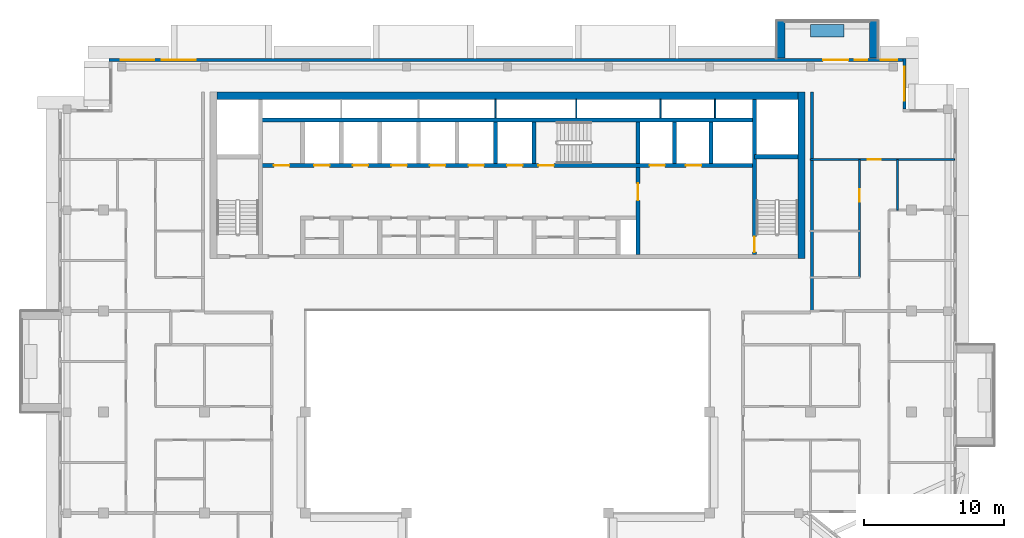
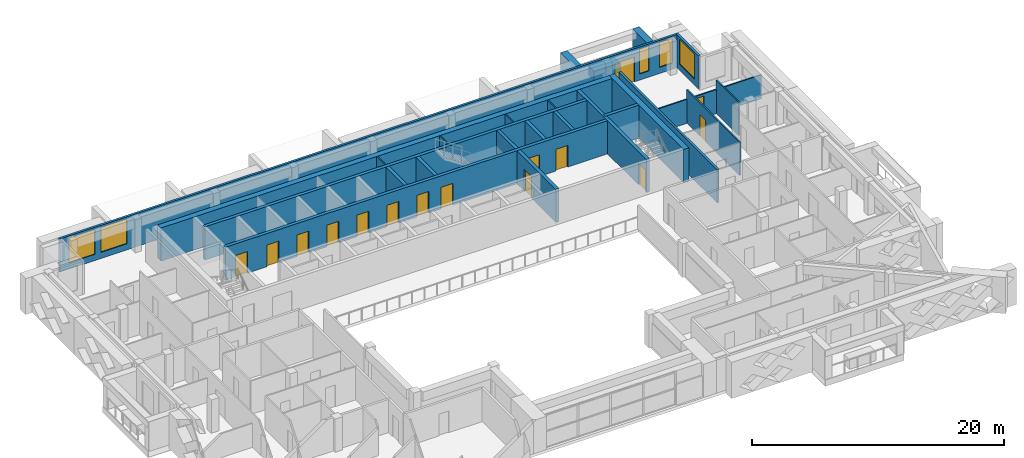
# One storey, part 11 of 19: 25 walls, 15 doors, 5 windows, 20 openings.
"""IFC4 building model written with IfcOpenShell, lengths in metres."""

from ifc_helpers import new_model, si_unit, direction, frame, frame_2d, origin, place, context, subcontext, project, spatial, rectangle, extrude, material, layer, layer_set, type_object, element, fill, save


model = new_model("IFC4")

# Units and contexts
model_context = context("Model", 3, precision=1e-05, world=origin(), true_north=direction((0.0, 1.0)))
body_context = subcontext(model_context, "Body", "Model", "MODEL_VIEW")
ifc_project = project(units=[si_unit("LENGTHUNIT", "METRE"), si_unit("AREAUNIT", "SQUARE_METRE"), si_unit("VOLUMEUNIT", "CUBIC_METRE"), si_unit("PLANEANGLEUNIT", "RADIAN"), si_unit("MASSUNIT", "GRAM", prefix="KILO")], contexts=[model_context])

# Site, building, storey
site_placement = place(None, origin())
site = spatial("IfcSite", under=ifc_project, at=site_placement, CompositionType="ELEMENT")
building_placement = place(site_placement, origin())
building = spatial("IfcBuilding", under=site, at=building_placement, Name="Saffron Iwan Residences", CompositionType="ELEMENT")
storey_placement = place(building_placement, frame((0.0, 0.0, 264.0)))
storey = spatial("IfcBuildingStorey", under=building, at=storey_placement, Name="L71", CompositionType="ELEMENT", Elevation=264.0)

# Walls
ifc_material_1 = material(Name="Concrete C50/60 white painted", Category="concrete")
ifc_layer_1 = layer(ifc_material_1, 0.60009765625)
ifc_layer_set_1 = layer_set([ifc_layer_1], Name="Concrete C50/60 white painted")
wall_type_1 = type_object("IfcWallType", Name="BALCONY FIN 600", PredefinedType="SOLIDWALL", material=ifc_layer_set_1)
for number, where, z_axis, x_axis, name in (
    (1, (76.5, 80.449951171875, 0.0), (0.0, 0.0, 1.0), (0.0, 1.0, 0.0), "Balcony fin L71 F5-0a"),
    (2, (69.89990234375, 80.449951171875, 0.0), (0.0, 0.0, 1.0), (0.0, 1.0, 0.0), "Balcony fin L71 F5-0b"),
):
    element("IfcWall", number, at=place(storey_placement, frame(where, z_axis=z_axis, x_axis=x_axis)), inside=storey, type_object=wall_type_1, Name=name, PredefinedType="SOLIDWALL", context=body_context, shape_type="SweptSolid", body=[
        extrude(rectangle(XDim=2.650146484375, YDim=0.60009765625, at=frame_2d((1.3251953125, 0.0))), origin(), (0.0, 0.0, 1.0), 2.85009765625),
    ])
ifc_material_2 = material(Name="Concrete C35/45 white painted", Category="concrete")
ifc_layer_2 = layer(ifc_material_2, 0.14990234375)
ifc_layer_set_2 = layer_set([ifc_layer_2], Name="Concrete C35/45 white painted")
wall_type_2 = type_object("IfcWallType", Name="BALCONY PLANTER", PredefinedType="SOLIDWALL", material=ifc_layer_set_2)
wall_1_placement = place(storey_placement, frame((74.39990234375, 82.375, 0.0), z_axis=(0.0, 0.0, 1.0), x_axis=(-1.0, 0.0, 0.0)))
element("IfcWall", 3, at=wall_1_placement, inside=storey, type_object=wall_type_2, Name="PLANTER L71 F5-0", PredefinedType="SOLIDWALL", context=body_context, shape_type="SweptSolid", body=[
    extrude(rectangle(XDim=2.39990234375, YDim=0.89990234375, at=frame_2d((1.199951171875, 0.0))), origin(), (0.0, 0.0, 1.0), 0.89990234375),
])

# Wall, opening, window
ifc_material_3 = material(Name="Concrete C40/50", Category="concrete")
ifc_layer_3 = layer(ifc_material_3, 0.199951171875)
ifc_layer_set_3 = layer_set([ifc_layer_3], Name="Concrete C40/50")
wall_type_3 = type_object("IfcWallType", Name="EXTERNAL WALL 200", PredefinedType="SOLIDWALL", material=ifc_layer_set_3)
wall_2_placement = place(storey_placement, frame((78.699951171875, 76.800048828125, 0.0), z_axis=(0.0, 0.0, 1.0), x_axis=(0.0, 1.0, 0.0)))
wall_2 = element("IfcWall", 4, at=wall_2_placement, inside=storey, type_object=wall_type_3, Name="External wall L71 F4.0", PredefinedType="SOLIDWALL", context=body_context, shape_type="SweptSolid", body=[
    extrude(rectangle(XDim=3.599853515625, YDim=0.199951171875, at=frame_2d((1.7998046875, 0.0))), origin(), (0.0, 0.0, 1.0), 3.219970703125),
])
opening_1_placement = place(wall_2_placement, frame((0.60009765625, 0.0, 0.60009765625)))
opening_1 = element("IfcOpeningElement", 5, at=opening_1_placement, cuts=wall_2, Name="Opening W1", PredefinedType="OPENING", context=body_context, shape_type="SweptSolid", body=[
    extrude(rectangle(XDim=2.39990234375, YDim=2.39990234375, at=frame_2d((1.199951171875, 1.199951171875))), frame((0.0, 0.10986328125, 0.0), z_axis=(0.0, -1.0, 0.0), x_axis=(1.0, 0.0, 0.0)), (0.0, 0.0, 1.0), 0.219970703125),
])
ifc_material_4 = material(Name="Clear glass, laminated double glazed", Category="glass")
window_type_1 = type_object("IfcWindowType", Name="WINDOW 2400 x 2400", PartitioningType="DOUBLE_PANEL_VERTICAL", PredefinedType="WINDOW", material=ifc_material_4)
window_1_placement = place(opening_1_placement, origin())
window_1 = element("IfcWindow", 6, at=window_1_placement, inside=storey, type_object=window_type_1, Name="Window L71 F4.0", OverallHeight=2.39990234375, OverallWidth=2.39990234375, PartitioningType="DOUBLE_PANEL_VERTICAL", PredefinedType="WINDOW", context=body_context, shape_type="SweptSolid", body=[
    extrude(rectangle(XDim=2.39990234375, YDim=2.39990234375, at=frame_2d((1.199951171875, 1.199951171875))), frame((0.0, 0.030029296875, 0.0), z_axis=(0.0, -1.0, 0.0), x_axis=(1.0, 0.0, 0.0)), (0.0, 0.0, 1.0), 0.06005859375),
])
fill(opening_1, window_1)

# Wall, openings, door, windows
wall_3_placement = place(storey_placement, frame((78.60009765625, 80.300048828125, 0.0), z_axis=(0.0, 0.0, 1.0), x_axis=(-1.0, 0.0, 0.0)))
wall_3 = element("IfcWall", 7, at=wall_3_placement, inside=storey, type_object=wall_type_3, Name="External wall L71 F5.0", PredefinedType="SOLIDWALL", context=body_context, shape_type="SweptSolid", body=[
    extrude(rectangle(XDim=56.60009765625, YDim=0.199951171875, at=frame_2d((28.300048828125, 0.0))), origin(), (0.0, 0.0, 1.0), 3.219970703125),
])
opening_2_placement = place(wall_3_placement, frame((3.89990234375, 0.0, 0.0)))
opening_2 = element("IfcOpeningElement", 8, at=opening_2_placement, cuts=wall_3, Name="Opening BD1", PredefinedType="OPENING", context=body_context, shape_type="SweptSolid", body=[
    extrude(rectangle(XDim=1.800048828125, YDim=2.39990234375, at=frame_2d((0.89990234375, 1.199951171875))), frame((0.0, 0.10986328125, 0.0), z_axis=(0.0, -1.0, 0.0), x_axis=(1.0, 0.0, 0.0)), (0.0, 0.0, 1.0), 0.219970703125),
])
opening_3_placement = place(wall_3_placement, frame((50.433349609375, 0.0, 0.60009765625)))
opening_3 = element("IfcOpeningElement", 9, at=opening_3_placement, cuts=wall_3, Name="Opening W1", PredefinedType="OPENING", context=body_context, shape_type="SweptSolid", body=[
    extrude(rectangle(XDim=2.39990234375, YDim=2.39990234375, at=frame_2d((1.199951171875, 1.199951171875))), frame((0.0, 0.10986328125, 0.0), z_axis=(0.0, -1.0, 0.0), x_axis=(1.0, 0.0, 0.0)), (0.0, 0.0, 1.0), 0.219970703125),
])
opening_4_placement = place(wall_3_placement, frame((53.36669921875, 0.0, 0.60009765625)))
opening_4 = element("IfcOpeningElement", 10, at=opening_4_placement, cuts=wall_3, Name="Opening W1", PredefinedType="OPENING", context=body_context, shape_type="SweptSolid", body=[
    extrude(rectangle(XDim=2.39990234375, YDim=2.39990234375, at=frame_2d((1.199951171875, 1.199951171875))), frame((0.0, 0.10986328125, 0.0), z_axis=(0.0, -1.0, 0.0), x_axis=(1.0, 0.0, 0.0)), (0.0, 0.0, 1.0), 0.219970703125),
])
opening_5_placement = place(wall_3_placement, frame((0.39990234375, 0.0, 0.60009765625)))
opening_5 = element("IfcOpeningElement", 11, at=opening_5_placement, cuts=wall_3, Name="Opening W3", PredefinedType="OPENING", context=body_context, shape_type="SweptSolid", body=[
    extrude(rectangle(XDim=1.199951171875, YDim=2.39990234375, at=frame_2d((0.60009765625, 1.199951171875))), frame((0.0, 0.10986328125, 0.0), z_axis=(0.0, -1.0, 0.0), x_axis=(1.0, 0.0, 0.0)), (0.0, 0.0, 1.0), 0.219970703125),
])
opening_6_placement = place(wall_3_placement, frame((2.550048828125, 0.0, 0.60009765625)))
opening_6 = element("IfcOpeningElement", 12, at=opening_6_placement, cuts=wall_3, Name="Opening W10", PredefinedType="OPENING", context=body_context, shape_type="SweptSolid", body=[
    extrude(rectangle(XDim=0.89990234375, YDim=2.39990234375, at=frame_2d((0.449951171875, 1.199951171875))), frame((0.0, 0.10986328125, 0.0), z_axis=(0.0, -1.0, 0.0), x_axis=(1.0, 0.0, 0.0)), (0.0, 0.0, 1.0), 0.219970703125),
])
door_type_1 = type_object("IfcDoorType", Name="BALCONY DOOR 1800 x 2400", OperationType="DOUBLE_DOOR_SLIDING", PredefinedType="DOOR", material=ifc_material_4)
door_1_placement = place(opening_2_placement, origin())
door_1 = element("IfcDoor", 13, at=door_1_placement, inside=storey, type_object=door_type_1, Name="Balcony door L71 F5.0", OperationType="DOUBLE_DOOR_SLIDING", OverallHeight=2.39990234375, OverallWidth=1.800048828125, PredefinedType="DOOR", context=body_context, shape_type="SweptSolid", body=[
    extrude(rectangle(XDim=1.800048828125, YDim=2.39990234375, at=frame_2d((0.89990234375, 1.199951171875))), frame((0.0, 0.02490234375, 0.0), z_axis=(0.0, -1.0, 0.0), x_axis=(1.0, 0.0, 0.0)), (0.0, 0.0, 1.0), 0.050048828125),
])
fill(opening_2, door_1)
window_type_2 = type_object("IfcWindowType", Name="WINDOW 1200 x 2400", PartitioningType="SINGLE_PANEL", PredefinedType="WINDOW", material=ifc_material_4)
window_2_placement = place(opening_5_placement, origin())
window_2 = element("IfcWindow", 14, at=window_2_placement, inside=storey, type_object=window_type_2, Name="Window L71 F5.3", OverallHeight=2.39990234375, OverallWidth=1.199951171875, PartitioningType="SINGLE_PANEL", PredefinedType="WINDOW", context=body_context, shape_type="SweptSolid", body=[
    extrude(rectangle(XDim=1.199951171875, YDim=2.39990234375, at=frame_2d((0.60009765625, 1.199951171875))), frame((0.0, 0.030029296875, 0.0), z_axis=(0.0, -1.0, 0.0), x_axis=(1.0, 0.0, 0.0)), (0.0, 0.0, 1.0), 0.06005859375),
])
fill(opening_5, window_2)
window_3_placement = place(opening_3_placement, origin())
window_3 = element("IfcWindow", 15, at=window_3_placement, inside=storey, type_object=window_type_1, Name="Window L71 F5.1", OverallHeight=2.39990234375, OverallWidth=2.39990234375, PartitioningType="DOUBLE_PANEL_VERTICAL", PredefinedType="WINDOW", context=body_context, shape_type="SweptSolid", body=[
    extrude(rectangle(XDim=2.39990234375, YDim=2.39990234375, at=frame_2d((1.199951171875, 1.199951171875))), frame((0.0, 0.030029296875, 0.0), z_axis=(0.0, -1.0, 0.0), x_axis=(1.0, 0.0, 0.0)), (0.0, 0.0, 1.0), 0.06005859375),
])
fill(opening_3, window_3)
window_4_placement = place(opening_4_placement, origin())
window_4 = element("IfcWindow", 16, at=window_4_placement, inside=storey, type_object=window_type_1, Name="Window L71 F5.2", OverallHeight=2.39990234375, OverallWidth=2.39990234375, PartitioningType="DOUBLE_PANEL_VERTICAL", PredefinedType="WINDOW", context=body_context, shape_type="SweptSolid", body=[
    extrude(rectangle(XDim=2.39990234375, YDim=2.39990234375, at=frame_2d((1.199951171875, 1.199951171875))), frame((0.0, 0.030029296875, 0.0), z_axis=(0.0, -1.0, 0.0), x_axis=(1.0, 0.0, 0.0)), (0.0, 0.0, 1.0), 0.06005859375),
])
fill(opening_4, window_4)
window_type_3 = type_object("IfcWindowType", Name="WINDOW 900 x 2400", PartitioningType="SINGLE_PANEL", PredefinedType="WINDOW", material=ifc_material_4)
window_5_placement = place(opening_6_placement, origin())
window_5 = element("IfcWindow", 17, at=window_5_placement, inside=storey, type_object=window_type_3, Name="Window L71 F5.4", OverallHeight=2.39990234375, OverallWidth=0.89990234375, PartitioningType="SINGLE_PANEL", PredefinedType="WINDOW", context=body_context, shape_type="SweptSolid", body=[
    extrude(rectangle(XDim=0.89990234375, YDim=2.39990234375, at=frame_2d((0.449951171875, 1.199951171875))), frame((0.0, 0.030029296875, 0.0), z_axis=(0.0, -1.0, 0.0), x_axis=(1.0, 0.0, 0.0)), (0.0, 0.0, 1.0), 0.06005859375),
])
fill(opening_6, window_5)

# Wall, opening, door
ifc_material_5 = material(Name="Gypsum board partition")
ifc_layer_4 = layer(ifc_material_5, 0.1201171875)
ifc_layer_set_4 = layer_set([ifc_layer_4], Name="Gypsum board partition")
wall_type_4 = type_object("IfcWallType", Name="Flat partition 120", PredefinedType="PARTITIONING", material=ifc_layer_set_4)
wall_4_placement = place(storey_placement, frame((72.0, 73.199951171875, 0.0), z_axis=(0.0, 0.0, 1.0), x_axis=(1.0, 0.0, 0.0)))
wall_4 = element("IfcWall", 18, at=wall_4_placement, inside=storey, type_object=wall_type_4, Name="W-L71-PART-h73.2-72", PredefinedType="PARTITIONING", context=body_context, shape_type="SweptSolid", body=[
    extrude(rectangle(XDim=10.27490234375, YDim=0.1201171875, at=frame_2d((5.137451171875, 0.0))), origin(), (0.0, 0.0, 1.0), 2.320068359375),
])
opening_7_placement = place(wall_4_placement, frame((4.10009765625, 0.0, 0.0)))
opening_7 = element("IfcOpeningElement", 19, at=opening_7_placement, cuts=wall_4, Name="Opening FD2", PredefinedType="OPENING", context=body_context, shape_type="SweptSolid", body=[
    extrude(rectangle(XDim=0.89990234375, YDim=2.10009765625, at=frame_2d((0.449951171875, 1.050048828125))), frame((0.0, 0.070068359375, 0.0), z_axis=(0.0, -1.0, 0.0), x_axis=(1.0, 0.0, 0.0)), (0.0, 0.0, 1.0), 0.14013671875),
])
ifc_material_6 = material(Name="Timber door", Category="wood")
door_type_2 = type_object("IfcDoorType", Name="Flat door 900", OperationType="NOTDEFINED", PredefinedType="DOOR", material=ifc_material_6)
door_2_placement = place(opening_7_placement, origin())
door_2 = element("IfcDoor", 20, at=door_2_placement, inside=storey, type_object=door_type_2, Name="Door L71-038", OperationType="SINGLE_SWING_RIGHT", OverallHeight=2.10009765625, OverallWidth=0.89990234375, PredefinedType="DOOR", context=body_context, shape_type="SweptSolid", body=[
    extrude(rectangle(XDim=0.89990234375, YDim=2.10009765625, at=frame_2d((0.449951171875, 1.050048828125))), frame((0.0, 0.02490234375, 0.0), z_axis=(0.0, -1.0, 0.0), x_axis=(1.0, 0.0, 0.0)), (0.0, 0.0, 1.0), 0.050048828125),
])
fill(opening_7, door_2)

wall_5_placement = place(storey_placement, frame((75.5, 64.800048828125, 0.0), z_axis=(0.0, 0.0, 1.0), x_axis=(0.0, 1.0, 0.0)))
wall_5 = element("IfcWall", 21, at=wall_5_placement, inside=storey, type_object=wall_type_4, Name="W-L71-PART-v75.5-64.8", PredefinedType="PARTITIONING", context=body_context, shape_type="SweptSolid", body=[
    extrude(rectangle(XDim=8.39990234375, YDim=0.1201171875, at=frame_2d((4.199951171875, 0.0))), origin(), (0.0, 0.0, 1.0), 3.219970703125),
])
opening_8_placement = place(wall_5_placement, frame((5.39990234375, 0.0, 0.0)))
opening_8 = element("IfcOpeningElement", 22, at=opening_8_placement, cuts=wall_5, Name="Opening FD2", PredefinedType="OPENING", context=body_context, shape_type="SweptSolid", body=[
    extrude(rectangle(XDim=0.89990234375, YDim=2.10009765625, at=frame_2d((0.449951171875, 1.050048828125))), frame((0.0, 0.070068359375, 0.0), z_axis=(0.0, -1.0, 0.0), x_axis=(1.0, 0.0, 0.0)), (0.0, 0.0, 1.0), 0.14013671875),
])
door_3_placement = place(opening_8_placement, origin())
door_3 = element("IfcDoor", 23, at=door_3_placement, inside=storey, type_object=door_type_2, Name="Door L71-040", OperationType="SINGLE_SWING_LEFT", OverallHeight=2.10009765625, OverallWidth=0.89990234375, PredefinedType="DOOR", context=body_context, shape_type="SweptSolid", body=[
    extrude(rectangle(XDim=0.89990234375, YDim=2.10009765625, at=frame_2d((0.449951171875, 1.050048828125))), frame((0.0, 0.02490234375, 0.0), z_axis=(0.0, -1.0, 0.0), x_axis=(1.0, 0.0, 0.0)), (0.0, 0.0, 1.0), 0.050048828125),
])
fill(opening_8, door_3)

# Walls
wall_6_placement = place(storey_placement, frame((78.199951171875, 69.60009765625, 0.0), z_axis=(0.0, 0.0, 1.0), x_axis=(0.0, 1.0, 0.0)))
element("IfcWall", 24, at=wall_6_placement, inside=storey, type_object=wall_type_4, Name="W-L71-PART-v78.2-69.6", PredefinedType="PARTITIONING", context=body_context, shape_type="SweptSolid", body=[
    extrude(rectangle(XDim=3.599853515625, YDim=0.1201171875, at=frame_2d((1.7998046875, 0.0))), origin(), (0.0, 0.0, 1.0), 3.219970703125),
])
ifc_material_7 = material(Name="Fire-rated gypsum board wall")
ifc_layer_5 = layer(ifc_material_7, 0.199951171875)
ifc_layer_set_5 = layer_set([ifc_layer_5], Name="Fire-rated gypsum board wall")
wall_type_5 = type_object("IfcWallType", Name="Gallery wall 200", PredefinedType="SOLIDWALL", material=ifc_layer_set_5)
wall_7_placement = place(storey_placement, frame((72.10009765625, 62.39990234375, 0.0), z_axis=(0.0, 0.0, 1.0), x_axis=(0.0, 1.0, 0.0)))
element("IfcWall", 25, at=wall_7_placement, inside=storey, type_object=wall_type_5, Name="W-L71-CORR-v72-62.4", PredefinedType="SOLIDWALL", context=body_context, shape_type="SweptSolid", body=[
    extrude(rectangle(XDim=15.60009765625, YDim=0.199951171875, at=frame_2d((7.800048828125, 0.0))), origin(), (0.0, 0.0, 1.0), 3.219970703125),
])
ifc_material_8 = material(Name="Fire-rated plasterboard partition")
ifc_layer_6 = layer(ifc_material_8, 0.10009765625)
ifc_layer_set_6 = layer_set([ifc_layer_6], Name="Fire-rated plasterboard partition")
wall_type_6 = type_object("IfcWallType", Name="Riser partition 100", PredefinedType="PARTITIONING", material=ifc_layer_set_6)
for number, where, z_axis, x_axis, name in (
    (26, (49.550048828125, 76.175048828125, 0.0), (0.0, 0.0, 1.0), (0.0, 1.0, 0.0), "Core partition P09"),
    (27, (55.300048828125, 76.175048828125, 0.0), (0.0, 0.0, 1.0), (0.0, 1.0, 0.0), "Core partition P10"),
    (28, (61.300048828125, 76.175048828125, 0.0), (0.0, 0.0, 1.0), (0.0, 1.0, 0.0), "Core partition P11"),
    (29, (65.199951171875, 76.175048828125, 0.0), (0.0, 0.0, 1.0), (0.0, 1.0, 0.0), "Core partition P12"),
):
    element("IfcWall", number, at=place(storey_placement, frame(where, z_axis=z_axis, x_axis=x_axis)), inside=storey, type_object=wall_type_6, Name=name, PredefinedType="PARTITIONING", context=body_context, shape_type="SweptSolid", body=[
        extrude(rectangle(XDim=1.324951171875, YDim=0.10009765625, at=frame_2d((0.66259765625, 0.0))), origin(), (0.0, 0.0, 1.0), 3.219970703125),
    ])

# Wall, openings, doors
ifc_layer_7 = layer(ifc_material_3, 0.300048828125)
ifc_layer_set_7 = layer_set([ifc_layer_7], Name="Concrete C40/50")
wall_type_7 = type_object("IfcWallType", Name="WALL CORE 300 C40/50 3220 HIGH", PredefinedType="SHEAR", material=ifc_layer_set_7)
wall_8_placement = place(storey_placement, frame((32.800048828125, 72.77490234375, 0.0), z_axis=(0.0, 0.0, 1.0), x_axis=(1.0, 0.0, 0.0)))
wall_8 = element("IfcWall", 30, at=wall_8_placement, inside=storey, type_object=wall_type_7, Name="Core wall", PredefinedType="SHEAR", context=body_context, shape_type="SweptSolid", body=[
    extrude(rectangle(XDim=35.199951171875, YDim=0.300048828125, at=frame_2d((17.60009765625, 0.0))), origin(), (0.0, 0.0, 1.0), 3.219970703125),
])
opening_9_placement = place(wall_8_placement, frame((19.800048828125, 0.0, 0.0)))
opening_9 = element("IfcOpeningElement", 31, at=opening_9_placement, cuts=wall_8, Name="Opening SD", PredefinedType="OPENING", context=body_context, shape_type="SweptSolid", body=[
    extrude(rectangle(XDim=1.10009765625, YDim=2.10009765625, at=frame_2d((0.550048828125, 1.050048828125))), frame((0.0, 0.16015625, 0.0), z_axis=(0.0, -1.0, 0.0), x_axis=(1.0, 0.0, 0.0)), (0.0, 0.0, 1.0), 0.320068359375),
])
opening_10_placement = place(wall_8_placement, frame((27.72509765625, 0.0, 0.0)))
opening_10 = element("IfcOpeningElement", 32, at=opening_10_placement, cuts=wall_8, Name="Opening LD", PredefinedType="OPENING", context=body_context, shape_type="SweptSolid", body=[
    extrude(rectangle(XDim=1.10009765625, YDim=2.10009765625, at=frame_2d((0.550048828125, 1.050048828125))), frame((0.0, 0.16015625, 0.0), z_axis=(0.0, -1.0, 0.0), x_axis=(1.0, 0.0, 0.0)), (0.0, 0.0, 1.0), 0.320068359375),
])
opening_11_placement = place(wall_8_placement, frame((30.324951171875, 0.0, 0.0)))
opening_11 = element("IfcOpeningElement", 33, at=opening_11_placement, cuts=wall_8, Name="Opening LD", PredefinedType="OPENING", context=body_context, shape_type="SweptSolid", body=[
    extrude(rectangle(XDim=1.10009765625, YDim=2.10009765625, at=frame_2d((0.550048828125, 1.050048828125))), frame((0.0, 0.16015625, 0.0), z_axis=(0.0, -1.0, 0.0), x_axis=(1.0, 0.0, 0.0)), (0.0, 0.0, 1.0), 0.320068359375),
])
opening_12_placement = place(wall_8_placement, frame((3.824951171875, 0.0, 0.0)))
opening_12 = element("IfcOpeningElement", 34, at=opening_12_placement, cuts=wall_8, Name="Opening LD", PredefinedType="OPENING", context=body_context, shape_type="SweptSolid", body=[
    extrude(rectangle(XDim=1.10009765625, YDim=2.10009765625, at=frame_2d((0.550048828125, 1.050048828125))), frame((0.0, 0.16015625, 0.0), z_axis=(0.0, -1.0, 0.0), x_axis=(1.0, 0.0, 0.0)), (0.0, 0.0, 1.0), 0.320068359375),
])
opening_13_placement = place(wall_8_placement, frame((6.574951171875, 0.0, 0.0)))
opening_13 = element("IfcOpeningElement", 35, at=opening_13_placement, cuts=wall_8, Name="Opening LD", PredefinedType="OPENING", context=body_context, shape_type="SweptSolid", body=[
    extrude(rectangle(XDim=1.10009765625, YDim=2.10009765625, at=frame_2d((0.550048828125, 1.050048828125))), frame((0.0, 0.16015625, 0.0), z_axis=(0.0, -1.0, 0.0), x_axis=(1.0, 0.0, 0.0)), (0.0, 0.0, 1.0), 0.320068359375),
])
opening_14_placement = place(wall_8_placement, frame((9.324951171875, 0.0, 0.0)))
opening_14 = element("IfcOpeningElement", 36, at=opening_14_placement, cuts=wall_8, Name="Opening LD", PredefinedType="OPENING", context=body_context, shape_type="SweptSolid", body=[
    extrude(rectangle(XDim=1.10009765625, YDim=2.10009765625, at=frame_2d((0.550048828125, 1.050048828125))), frame((0.0, 0.16015625, 0.0), z_axis=(0.0, -1.0, 0.0), x_axis=(1.0, 0.0, 0.0)), (0.0, 0.0, 1.0), 0.320068359375),
])
opening_15_placement = place(wall_8_placement, frame((12.074951171875, 0.0, 0.0)))
opening_15 = element("IfcOpeningElement", 37, at=opening_15_placement, cuts=wall_8, Name="Opening LD", PredefinedType="OPENING", context=body_context, shape_type="SweptSolid", body=[
    extrude(rectangle(XDim=1.10009765625, YDim=2.10009765625, at=frame_2d((0.550048828125, 1.050048828125))), frame((0.0, 0.16015625, 0.0), z_axis=(0.0, -1.0, 0.0), x_axis=(1.0, 0.0, 0.0)), (0.0, 0.0, 1.0), 0.320068359375),
])
opening_16_placement = place(wall_8_placement, frame((14.824951171875, 0.0, 0.0)))
opening_16 = element("IfcOpeningElement", 38, at=opening_16_placement, cuts=wall_8, Name="Opening LD", PredefinedType="OPENING", context=body_context, shape_type="SweptSolid", body=[
    extrude(rectangle(XDim=1.10009765625, YDim=2.10009765625, at=frame_2d((0.550048828125, 1.050048828125))), frame((0.0, 0.16015625, 0.0), z_axis=(0.0, -1.0, 0.0), x_axis=(1.0, 0.0, 0.0)), (0.0, 0.0, 1.0), 0.320068359375),
])
opening_17_placement = place(wall_8_placement, frame((17.574951171875, 0.0, 0.0)))
opening_17 = element("IfcOpeningElement", 39, at=opening_17_placement, cuts=wall_8, Name="Opening LD", PredefinedType="OPENING", context=body_context, shape_type="SweptSolid", body=[
    extrude(rectangle(XDim=1.10009765625, YDim=2.10009765625, at=frame_2d((0.550048828125, 1.050048828125))), frame((0.0, 0.16015625, 0.0), z_axis=(0.0, -1.0, 0.0), x_axis=(1.0, 0.0, 0.0)), (0.0, 0.0, 1.0), 0.320068359375),
])
opening_18_placement = place(wall_8_placement, frame((0.949951171875, 0.0, 0.0)))
opening_18 = element("IfcOpeningElement", 40, at=opening_18_placement, cuts=wall_8, Name="Opening SR", PredefinedType="OPENING", context=body_context, shape_type="SweptSolid", body=[
    extrude(rectangle(XDim=1.10009765625, YDim=2.10009765625, at=frame_2d((0.550048828125, 1.050048828125))), frame((0.0, 0.16015625, 0.0), z_axis=(0.0, -1.0, 0.0), x_axis=(1.0, 0.0, 0.0)), (0.0, 0.0, 1.0), 0.320068359375),
])
ifc_material_9 = material(Name="Steel fire door", Category="steel")
door_type_3 = type_object("IfcDoorType", Name="Lift landing door 1100", OperationType="SLIDING_TO_LEFT", PredefinedType="DOOR", material=ifc_material_9)
door_4_placement = place(opening_10_placement, origin())
door_4 = element("IfcDoor", 41, at=door_4_placement, inside=storey, type_object=door_type_3, Name="Landing doors FF1", OperationType="SLIDING_TO_LEFT", OverallHeight=2.10009765625, OverallWidth=1.10009765625, PredefinedType="DOOR", context=body_context, shape_type="SweptSolid", body=[
    extrude(rectangle(XDim=1.10009765625, YDim=2.10009765625, at=frame_2d((0.550048828125, 1.050048828125))), frame((0.0, 0.02490234375, 0.0), z_axis=(0.0, -1.0, 0.0), x_axis=(1.0, 0.0, 0.0)), (0.0, 0.0, 1.0), 0.050048828125),
])
fill(opening_10, door_4)
door_5_placement = place(opening_11_placement, origin())
door_5 = element("IfcDoor", 42, at=door_5_placement, inside=storey, type_object=door_type_3, Name="Landing doors FF2", OperationType="SLIDING_TO_LEFT", OverallHeight=2.10009765625, OverallWidth=1.10009765625, PredefinedType="DOOR", context=body_context, shape_type="SweptSolid", body=[
    extrude(rectangle(XDim=1.10009765625, YDim=2.10009765625, at=frame_2d((0.550048828125, 1.050048828125))), frame((0.0, 0.02490234375, 0.0), z_axis=(0.0, -1.0, 0.0), x_axis=(1.0, 0.0, 0.0)), (0.0, 0.0, 1.0), 0.050048828125),
])
fill(opening_11, door_5)
door_6_placement = place(opening_12_placement, origin())
door_6 = element("IfcDoor", 43, at=door_6_placement, inside=storey, type_object=door_type_3, Name="Landing doors HR1", OperationType="SLIDING_TO_LEFT", OverallHeight=2.10009765625, OverallWidth=1.10009765625, PredefinedType="DOOR", context=body_context, shape_type="SweptSolid", body=[
    extrude(rectangle(XDim=1.10009765625, YDim=2.10009765625, at=frame_2d((0.550048828125, 1.050048828125))), frame((0.0, 0.02490234375, 0.0), z_axis=(0.0, -1.0, 0.0), x_axis=(1.0, 0.0, 0.0)), (0.0, 0.0, 1.0), 0.050048828125),
])
fill(opening_12, door_6)
door_7_placement = place(opening_13_placement, origin())
door_7 = element("IfcDoor", 44, at=door_7_placement, inside=storey, type_object=door_type_3, Name="Landing doors HR2", OperationType="SLIDING_TO_LEFT", OverallHeight=2.10009765625, OverallWidth=1.10009765625, PredefinedType="DOOR", context=body_context, shape_type="SweptSolid", body=[
    extrude(rectangle(XDim=1.10009765625, YDim=2.10009765625, at=frame_2d((0.550048828125, 1.050048828125))), frame((0.0, 0.02490234375, 0.0), z_axis=(0.0, -1.0, 0.0), x_axis=(1.0, 0.0, 0.0)), (0.0, 0.0, 1.0), 0.050048828125),
])
fill(opening_13, door_7)
door_8_placement = place(opening_14_placement, origin())
door_8 = element("IfcDoor", 45, at=door_8_placement, inside=storey, type_object=door_type_3, Name="Landing doors HR3", OperationType="SLIDING_TO_LEFT", OverallHeight=2.10009765625, OverallWidth=1.10009765625, PredefinedType="DOOR", context=body_context, shape_type="SweptSolid", body=[
    extrude(rectangle(XDim=1.10009765625, YDim=2.10009765625, at=frame_2d((0.550048828125, 1.050048828125))), frame((0.0, 0.02490234375, 0.0), z_axis=(0.0, -1.0, 0.0), x_axis=(1.0, 0.0, 0.0)), (0.0, 0.0, 1.0), 0.050048828125),
])
fill(opening_14, door_8)
door_9_placement = place(opening_15_placement, origin())
door_9 = element("IfcDoor", 46, at=door_9_placement, inside=storey, type_object=door_type_3, Name="Landing doors HR4", OperationType="SLIDING_TO_LEFT", OverallHeight=2.10009765625, OverallWidth=1.10009765625, PredefinedType="DOOR", context=body_context, shape_type="SweptSolid", body=[
    extrude(rectangle(XDim=1.10009765625, YDim=2.10009765625, at=frame_2d((0.550048828125, 1.050048828125))), frame((0.0, 0.02490234375, 0.0), z_axis=(0.0, -1.0, 0.0), x_axis=(1.0, 0.0, 0.0)), (0.0, 0.0, 1.0), 0.050048828125),
])
fill(opening_15, door_9)
door_10_placement = place(opening_16_placement, origin())
door_10 = element("IfcDoor", 47, at=door_10_placement, inside=storey, type_object=door_type_3, Name="Landing doors HR5", OperationType="SLIDING_TO_LEFT", OverallHeight=2.10009765625, OverallWidth=1.10009765625, PredefinedType="DOOR", context=body_context, shape_type="SweptSolid", body=[
    extrude(rectangle(XDim=1.10009765625, YDim=2.10009765625, at=frame_2d((0.550048828125, 1.050048828125))), frame((0.0, 0.02490234375, 0.0), z_axis=(0.0, -1.0, 0.0), x_axis=(1.0, 0.0, 0.0)), (0.0, 0.0, 1.0), 0.050048828125),
])
fill(opening_16, door_10)
door_11_placement = place(opening_17_placement, origin())
door_11 = element("IfcDoor", 48, at=door_11_placement, inside=storey, type_object=door_type_3, Name="Landing doors HR6", OperationType="SLIDING_TO_LEFT", OverallHeight=2.10009765625, OverallWidth=1.10009765625, PredefinedType="DOOR", context=body_context, shape_type="SweptSolid", body=[
    extrude(rectangle(XDim=1.10009765625, YDim=2.10009765625, at=frame_2d((0.550048828125, 1.050048828125))), frame((0.0, 0.02490234375, 0.0), z_axis=(0.0, -1.0, 0.0), x_axis=(1.0, 0.0, 0.0)), (0.0, 0.0, 1.0), 0.050048828125),
])
fill(opening_17, door_11)
door_type_4 = type_object("IfcDoorType", Name="Service door 1100", OperationType="NOTDEFINED", PredefinedType="DOOR", material=ifc_material_9)
door_12_placement = place(opening_18_placement, origin())
door_12 = element("IfcDoor", 49, at=door_12_placement, inside=storey, type_object=door_type_4, Name="Door Storage room", OperationType="SINGLE_SWING_LEFT", OverallHeight=2.10009765625, OverallWidth=1.10009765625, PredefinedType="DOOR", context=body_context, shape_type="SweptSolid", body=[
    extrude(rectangle(XDim=1.10009765625, YDim=2.10009765625, at=frame_2d((0.550048828125, 1.050048828125))), frame((0.0, 0.02490234375, 0.0), z_axis=(0.0, -1.0, 0.0), x_axis=(1.0, 0.0, 0.0)), (0.0, 0.0, 1.0), 0.050048828125),
])
fill(opening_18, door_12)
door_type_5 = type_object("IfcDoorType", Name="Stair door 1100", OperationType="NOTDEFINED", PredefinedType="DOOR", material=ifc_material_9)
door_13_placement = place(opening_9_placement, origin())
door_13 = element("IfcDoor", 50, at=door_13_placement, inside=storey, type_object=door_type_5, Name="Stair door ST-C", OperationType="SINGLE_SWING_LEFT", OverallHeight=2.10009765625, OverallWidth=1.10009765625, PredefinedType="DOOR", context=body_context, shape_type="SweptSolid", body=[
    extrude(rectangle(XDim=1.10009765625, YDim=2.10009765625, at=frame_2d((0.550048828125, 1.050048828125))), frame((0.0, 0.02490234375, 0.0), z_axis=(0.0, -1.0, 0.0), x_axis=(1.0, 0.0, 0.0)), (0.0, 0.0, 1.0), 0.050048828125),
])
fill(opening_9, door_13)

# Walls
wall_9_placement = place(storey_placement, frame((32.800048828125, 76.02490234375, 0.0), z_axis=(0.0, 0.0, 1.0), x_axis=(1.0, 0.0, 0.0)))
element("IfcWall", 51, at=wall_9_placement, inside=storey, type_object=wall_type_7, Name="Core wall", PredefinedType="SHEAR", context=body_context, shape_type="SweptSolid", body=[
    extrude(rectangle(XDim=35.199951171875, YDim=0.300048828125, at=frame_2d((17.60009765625, 0.0))), origin(), (0.0, 0.0, 1.0), 3.219970703125),
])
wall_10_placement = place(storey_placement, frame((68.0, 73.39990234375, 0.0), z_axis=(0.0, 0.0, 1.0), x_axis=(1.0, 0.0, 0.0)))
element("IfcWall", 52, at=wall_10_placement, inside=storey, type_object=wall_type_7, Name="Core wall", PredefinedType="SHEAR", context=body_context, shape_type="SweptSolid", body=[
    extrude(rectangle(XDim=3.10009765625, YDim=0.300048828125, at=frame_2d((1.550048828125, 0.0))), origin(), (0.0, 0.0, 1.0), 3.219970703125),
])

# Wall, opening, door
wall_11_placement = place(storey_placement, frame((68.0, 66.449951171875, 0.0), z_axis=(0.0, 0.0, 1.0), x_axis=(0.0, 1.0, 0.0)))
wall_11 = element("IfcWall", 53, at=wall_11_placement, inside=storey, type_object=wall_type_7, Name="Core wall", PredefinedType="SHEAR", context=body_context, shape_type="SweptSolid", body=[
    extrude(rectangle(XDim=11.050048828125, YDim=0.300048828125, at=frame_2d((5.52490234375, 0.0))), origin(), (0.0, 0.0, 1.0), 3.219970703125),
])
opening_19_placement = place(wall_11_placement, frame((0.14990234375, 0.0, 0.0)))
opening_19 = element("IfcOpeningElement", 54, at=opening_19_placement, cuts=wall_11, Name="Opening SD", PredefinedType="OPENING", context=body_context, shape_type="SweptSolid", body=[
    extrude(rectangle(XDim=1.10009765625, YDim=2.10009765625, at=frame_2d((0.550048828125, 1.050048828125))), frame((0.0, 0.16015625, 0.0), z_axis=(0.0, -1.0, 0.0), x_axis=(1.0, 0.0, 0.0)), (0.0, 0.0, 1.0), 0.320068359375),
])
door_14_placement = place(opening_19_placement, origin())
door_14 = element("IfcDoor", 55, at=door_14_placement, inside=storey, type_object=door_type_5, Name="Stair door ST-E", OperationType="SINGLE_SWING_RIGHT", OverallHeight=2.10009765625, OverallWidth=1.10009765625, PredefinedType="DOOR", context=body_context, shape_type="SweptSolid", body=[
    extrude(rectangle(XDim=1.10009765625, YDim=2.10009765625, at=frame_2d((0.550048828125, 1.050048828125))), frame((0.0, 0.02490234375, 0.0), z_axis=(0.0, -1.0, 0.0), x_axis=(1.0, 0.0, 0.0)), (0.0, 0.0, 1.0), 0.050048828125),
])
fill(opening_19, door_14)

wall_12_placement = place(storey_placement, frame((59.699951171875, 66.449951171875, 0.0), z_axis=(0.0, 0.0, 1.0), x_axis=(0.0, 1.0, 0.0)))
wall_12 = element("IfcWall", 56, at=wall_12_placement, inside=storey, type_object=wall_type_7, Name="Core wall", PredefinedType="SHEAR", context=body_context, shape_type="SweptSolid", body=[
    extrude(rectangle(XDim=6.175048828125, YDim=0.300048828125, at=frame_2d((3.08740234375, 0.0))), origin(), (0.0, 0.0, 1.0), 3.219970703125),
])
opening_20_placement = place(wall_12_placement, frame((3.85009765625, 0.0, 0.0)))
opening_20 = element("IfcOpeningElement", 57, at=opening_20_placement, cuts=wall_12, Name="Opening FD", PredefinedType="OPENING", context=body_context, shape_type="SweptSolid", body=[
    extrude(rectangle(XDim=1.199951171875, YDim=2.10009765625, at=frame_2d((0.60009765625, 1.050048828125))), frame((0.0, 0.16015625, 0.0), z_axis=(0.0, -1.0, 0.0), x_axis=(1.0, 0.0, 0.0)), (0.0, 0.0, 1.0), 0.320068359375),
])
door_type_6 = type_object("IfcDoorType", Name="Firefighting lobby door 1200", OperationType="NOTDEFINED", PredefinedType="DOOR", material=ifc_material_9)
door_15_placement = place(opening_20_placement, origin())
door_15 = element("IfcDoor", 58, at=door_15_placement, inside=storey, type_object=door_type_6, Name="Firefighting lobby door", OperationType="SINGLE_SWING_LEFT", OverallHeight=2.10009765625, OverallWidth=1.199951171875, PredefinedType="DOOR", context=body_context, shape_type="SweptSolid", body=[
    extrude(rectangle(XDim=1.199951171875, YDim=2.10009765625, at=frame_2d((0.60009765625, 1.050048828125))), frame((0.0, 0.02490234375, 0.0), z_axis=(0.0, -1.0, 0.0), x_axis=(1.0, 0.0, 0.0)), (0.0, 0.0, 1.0), 0.050048828125),
])
fill(opening_20, door_15)

# Walls
for number, where, z_axis, x_axis, name in (
    (59, (59.699951171875, 72.925048828125, 0.0), (0.0, 0.0, 1.0), (0.0, 1.0, 0.0), "Core wall"),
    (60, (49.550048828125, 72.925048828125, 0.0), (0.0, 0.0, 1.0), (0.0, 1.0, 0.0), "Core wall"),
    (61, (52.300048828125, 72.925048828125, 0.0), (0.0, 0.0, 1.0), (0.0, 1.0, 0.0), "Core wall"),
    (62, (62.300048828125, 72.925048828125, 0.0), (0.0, 0.0, 1.0), (0.0, 1.0, 0.0), "Core wall"),
    (63, (64.89990234375, 72.925048828125, 0.0), (0.0, 0.0, 1.0), (0.0, 1.0, 0.0), "Core wall"),
):
    element("IfcWall", number, at=place(storey_placement, frame(where, z_axis=z_axis, x_axis=x_axis)), inside=storey, type_object=wall_type_7, Name=name, PredefinedType="SHEAR", context=body_context, shape_type="SweptSolid", body=[
        extrude(rectangle(XDim=2.949951171875, YDim=0.300048828125, at=frame_2d((1.47509765625, 0.0))), origin(), (0.0, 0.0, 1.0), 3.219970703125),
    ])
ifc_layer_8 = layer(ifc_material_3, 0.5)
ifc_layer_set_8 = layer_set([ifc_layer_8], Name="Concrete C40/50")
wall_type_8 = type_object("IfcWallType", Name="WALL CORE 500 C40/50 3220 HIGH", PredefinedType="SHEAR", material=ifc_layer_set_8)
wall_13_placement = place(storey_placement, frame((71.35009765625, 66.14990234375, 0.0), z_axis=(0.0, 0.0, 1.0), x_axis=(0.0, 1.0, 0.0)))
element("IfcWall", 64, at=wall_13_placement, inside=storey, type_object=wall_type_8, Name="Core wall", PredefinedType="SHEAR", context=body_context, shape_type="SweptSolid", body=[
    extrude(rectangle(XDim=11.85009765625, YDim=0.5, at=frame_2d((5.925048828125, 0.0))), origin(), (0.0, 0.0, 1.0), 3.219970703125),
])
wall_14_placement = place(storey_placement, frame((29.699951171875, 77.75, 0.0), z_axis=(0.0, 0.0, 1.0), x_axis=(1.0, 0.0, 0.0)))
element("IfcWall", 65, at=wall_14_placement, inside=storey, type_object=wall_type_8, Name="Core wall", PredefinedType="SHEAR", context=body_context, shape_type="SweptSolid", body=[
    extrude(rectangle(XDim=41.400146484375, YDim=0.5, at=frame_2d((20.7001953125, 0.0))), origin(), (0.0, 0.0, 1.0), 3.219970703125),
])

save(model, "model.ifc")
